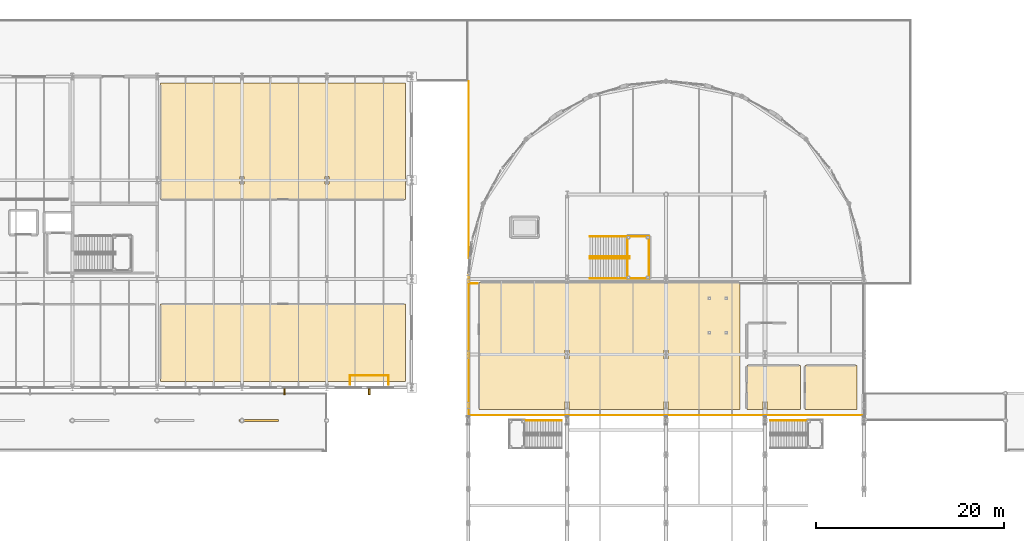
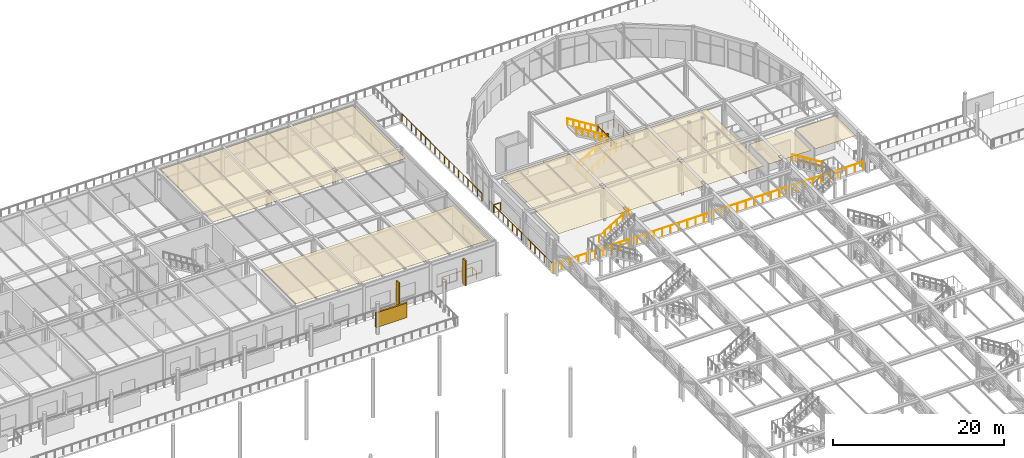
# One storey, part 130 of 143: 13 railings, 5 coverings, 3 shading devices.
"""IFC4 building model written with IfcOpenShell, lengths in metres."""

from ifc_helpers import new_model, si_unit, direction, frame, origin, origin_2d, place, context, subcontext, project, spatial, polyline, rectangle, circle, outline, extrude, material, layer, layer_set, type_object, element, save


model = new_model("IFC4")

# Units and contexts
model_context = context("Model", 3, precision=1e-05, world=origin(), true_north=direction((0.0, 1.0)))
body_context = subcontext(model_context, "Body", "Model", "MODEL_VIEW")
ifc_project = project(units=[si_unit("LENGTHUNIT", "METRE"), si_unit("AREAUNIT", "SQUARE_METRE"), si_unit("VOLUMEUNIT", "CUBIC_METRE"), si_unit("PLANEANGLEUNIT", "RADIAN"), si_unit("MASSUNIT", "GRAM", prefix="KILO")], contexts=[model_context])

# Site, building, storey
site_placement = place(None, origin())
site = spatial("IfcSite", under=ifc_project, at=site_placement, CompositionType="ELEMENT")
building_placement = place(site_placement, origin())
building = spatial("IfcBuilding", under=site, at=building_placement, Name="Marlcrest Central Station", CompositionType="ELEMENT")
storey_placement = place(building_placement, frame((0.0, 0.0, 4.800048828125)))
storey = spatial("IfcBuildingStorey", under=building, at=storey_placement, Name="L01", CompositionType="ELEMENT", Elevation=4.800048828125)

# Coverings
ifc_material_1 = material(Name="Perforated acoustic mineral-fibre ceiling")
ifc_layer = layer(ifc_material_1, 0.02490234375, Name="CV-CLG")
ifc_layer_set = layer_set([ifc_layer], Name="Perforated acoustic mineral-fibre ceiling")
covering_type = type_object("IfcCoveringType", Name="CV-CLG", PredefinedType="CEILING", material=ifc_layer_set)
covering_1_placement = place(storey_placement, frame((0.0, 0.0, 4.675048828125)))
element("IfcCovering", 1, at=covering_1_placement, inside=storey, type_object=covering_type, Name="cov-clg-0070", PredefinedType="CEILING", context=body_context, shape_type="SweptSolid", body=[
    extrude(outline(polyline([(97.7099609375, 110.139892578125), (107.7900390625, 110.139892578125), (107.7900390625, 110.0400390625), (108.2099609375, 110.0400390625), (108.2099609375, 110.139892578125), (115.840087890625, 110.139892578125), (115.840087890625, 96.659912109375), (88.159912109375, 96.659912109375), (88.159912109375, 110.139892578125), (97.2900390625, 110.139892578125), (97.2900390625, 110.0400390625), (97.7099609375, 110.0400390625), (97.7099609375, 110.139892578125)]), holes=[polyline([(97.2900390625, 102.9599609375), (97.2900390625, 102.0400390625), (97.7099609375, 102.0400390625), (97.7099609375, 102.9599609375), (97.2900390625, 102.9599609375)]), polyline([(108.2099609375, 102.9599609375), (107.7900390625, 102.9599609375), (107.7900390625, 102.0400390625), (108.2099609375, 102.0400390625), (108.2099609375, 102.9599609375)]), polyline([(97.2900390625, 97.510009765625), (97.2900390625, 96.68994140625), (97.7099609375, 96.68994140625), (97.7099609375, 97.510009765625), (97.2900390625, 97.510009765625)]), polyline([(108.2099609375, 97.510009765625), (107.7900390625, 97.510009765625), (107.7900390625, 96.68994140625), (108.2099609375, 96.68994140625), (108.2099609375, 97.510009765625)])]), origin(), (0.0, 0.0, 1.0), 0.02490234375),
])
covering_2_placement = place(storey_placement, frame((0.0, 0.0, 4.675048828125)))
element("IfcCovering", 2, at=covering_2_placement, inside=storey, type_object=covering_type, Name="cov-clg-0072", PredefinedType="CEILING", context=body_context, shape_type="SweptSolid", body=[
    extrude(outline(polyline([(116.56005859375, 96.659912109375), (116.56005859375, 101.340087890625), (122.239990234375, 101.340087890625), (122.239990234375, 96.659912109375), (116.56005859375, 96.659912109375)]), holes=[polyline([(118.7099609375, 97.510009765625), (118.2900390625, 97.510009765625), (118.2900390625, 96.68994140625), (118.7099609375, 96.68994140625), (118.7099609375, 97.510009765625)])]), origin(), (0.0, 0.0, 1.0), 0.02490234375),
])
covering_3_placement = place(storey_placement, frame((0.0, 0.0, 4.675048828125)))
element("IfcCovering", 3, at=covering_3_placement, inside=storey, type_object=covering_type, Name="cov-clg-0073", PredefinedType="CEILING", context=body_context, shape_type="SweptSolid", body=[
    extrude(outline(polyline([(128.239990234375, 96.659912109375), (128.239990234375, 101.340087890625), (122.760009765625, 101.340087890625), (122.760009765625, 96.659912109375), (128.239990234375, 96.659912109375)])), origin(), (0.0, 0.0, 1.0), 0.02490234375),
])
covering_4_placement = place(storey_placement, frame((0.0, 0.0, 4.675048828125)))
element("IfcCovering", 4, at=covering_4_placement, inside=storey, type_object=covering_type, Name="cov-clg-0080", PredefinedType="CEILING", context=body_context, shape_type="SweptSolid", body=[
    extrude(outline(polyline([(54.360107421875, 131.340087890625), (80.340087890625, 131.340087890625), (80.340087890625, 118.9599609375), (54.360107421875, 118.9599609375), (54.360107421875, 131.340087890625)]), holes=[polyline([(62.7900390625, 121.409912109375), (62.7900390625, 120.590087890625), (63.2099609375, 120.590087890625), (63.2099609375, 121.409912109375), (62.7900390625, 121.409912109375)]), polyline([(72.2099609375, 121.409912109375), (71.7900390625, 121.409912109375), (71.7900390625, 120.590087890625), (72.2099609375, 120.590087890625), (72.2099609375, 121.409912109375)])]), origin(), (0.0, 0.0, 1.0), 0.02490234375),
])
covering_5_placement = place(storey_placement, frame((0.0, 0.0, 4.675048828125)))
element("IfcCovering", 5, at=covering_5_placement, inside=storey, type_object=covering_type, Name="cov-clg-0083", PredefinedType="CEILING", context=body_context, shape_type="SweptSolid", body=[
    extrude(outline(polyline([(80.340087890625, 99.659912109375), (80.340087890625, 107.840087890625), (54.360107421875, 107.840087890625), (54.360107421875, 99.659912109375), (80.340087890625, 99.659912109375)])), origin(), (0.0, 0.0, 1.0), 0.02490234375),
])

# Railings
ifc_material_2 = material(Name="Stainless steel and laminated glass concourse balustrade", Category="steel")
railing_type_1 = type_object("IfcRailingType", Name="GR-02", PredefinedType="BALUSTRADE", material=ifc_material_2)
railing_1_placement = place(storey_placement, frame((103.8701171875, 110.56005859375, 2.5)))
element("IfcRailing", 6, at=railing_1_placement, inside=storey, type_object=railing_type_1, Name="hr-L01-00190", PredefinedType="BALUSTRADE", context=body_context, shape_type="SweptSolid", body=[
    extrude(circle(Radius=0.02392578125, at=origin_2d()), frame((0.0, 0.0, 1.09619140625), z_axis=(1.0, 0.0, 0.0), x_axis=(0.0, 1.0, 0.0)), (0.0, 0.0, 1.0), 2.31982421875),
    extrude(circle(Radius=0.02392578125, at=origin_2d()), frame((2.31982421875, 0.0, 1.09619140625), z_axis=(0.0, 1.0, 0.0), x_axis=(-1.0, 0.0, 0.0)), (0.0, 0.0, 1.0), 4.47998046875),
    extrude(circle(Radius=0.02392578125, at=origin_2d()), frame((2.31982421875, 4.47998046875, 1.09619140625), z_axis=(-1.0, 0.0, 0.0), x_axis=(0.0, -1.0, 0.0)), (0.0, 0.0, 1.0), 2.31982421875),
    extrude(circle(Radius=0.02099609375, at=origin_2d()), origin(), (0.0, 0.0, 1.0), 1.072021484375),
    extrude(circle(Radius=0.02099609375, at=origin_2d()), frame((0.773193359375, 0.0, 0.0)), (0.0, 0.0, 1.0), 1.072021484375),
    extrude(circle(Radius=0.02099609375, at=origin_2d()), frame((1.546630859375, 0.0, 0.0)), (0.0, 0.0, 1.0), 1.072021484375),
    extrude(circle(Radius=0.02099609375, at=origin_2d()), frame((2.31982421875, 0.0, 0.0)), (0.0, 0.0, 1.0), 1.072021484375),
    extrude(circle(Radius=0.02099609375, at=origin_2d()), frame((2.31982421875, 1.1201171875, 0.0)), (0.0, 0.0, 1.0), 1.072021484375),
    extrude(circle(Radius=0.02099609375, at=origin_2d()), frame((2.31982421875, 2.239990234375, 0.0)), (0.0, 0.0, 1.0), 1.072021484375),
    extrude(circle(Radius=0.02099609375, at=origin_2d()), frame((2.31982421875, 3.35986328125, 0.0)), (0.0, 0.0, 1.0), 1.072021484375),
    extrude(circle(Radius=0.02099609375, at=origin_2d()), frame((2.31982421875, 4.47998046875, 0.0)), (0.0, 0.0, 1.0), 1.072021484375),
    extrude(circle(Radius=0.02099609375, at=origin_2d()), frame((1.546630859375, 4.47998046875, 0.0)), (0.0, 0.0, 1.0), 1.072021484375),
    extrude(circle(Radius=0.02099609375, at=origin_2d()), frame((0.773193359375, 4.47998046875, 0.0)), (0.0, 0.0, 1.0), 1.072021484375),
    extrude(circle(Radius=0.02099609375, at=origin_2d()), frame((0.0, 4.47998046875, 0.0)), (0.0, 0.0, 1.0), 1.072021484375),
])
railing_2_placement = place(storey_placement, frame((78.56005859375, 99.300048828125, 0.0)))
element("IfcRailing", 7, at=railing_2_placement, inside=storey, type_object=railing_type_1, Name="hr-L01-00314", PredefinedType="BALUSTRADE", context=body_context, shape_type="SweptSolid", body=[
    extrude(circle(Radius=0.02392578125, at=origin_2d()), frame((0.0, 0.0, 1.09619140625), z_axis=(0.0, 1.0, 0.0), x_axis=(-1.0, 0.0, 0.0)), (0.0, 0.0, 1.0), 0.9599609375),
    extrude(circle(Radius=0.02392578125, at=origin_2d()), frame((0.0, 0.9599609375, 1.09619140625), z_axis=(-1.0, 0.0, 0.0), x_axis=(0.0, -1.0, 0.0)), (0.0, 0.0, 1.0), 4.1201171875),
    extrude(circle(Radius=0.02392578125, at=origin_2d()), frame((-4.1201171875, 0.9599609375, 1.09619140625), z_axis=(0.0, -1.0, 0.0), x_axis=(1.0, 0.0, 0.0)), (0.0, 0.0, 1.0), 0.9599609375),
    extrude(circle(Radius=0.02099609375, at=origin_2d()), origin(), (0.0, 0.0, 1.0), 1.072021484375),
    extrude(circle(Radius=0.02099609375, at=origin_2d()), frame((0.0, 0.9599609375, 0.0)), (0.0, 0.0, 1.0), 1.072021484375),
    extrude(circle(Radius=0.02099609375, at=origin_2d()), frame((-1.030029296875, 0.9599609375, 0.0)), (0.0, 0.0, 1.0), 1.072021484375),
    extrude(circle(Radius=0.02099609375, at=origin_2d()), frame((-2.06005859375, 0.9599609375, 0.0)), (0.0, 0.0, 1.0), 1.072021484375),
    extrude(circle(Radius=0.02099609375, at=origin_2d()), frame((-3.090087890625, 0.9599609375, 0.0)), (0.0, 0.0, 1.0), 1.072021484375),
    extrude(circle(Radius=0.02099609375, at=origin_2d()), frame((-4.1201171875, 0.9599609375, 0.0)), (0.0, 0.0, 1.0), 1.072021484375),
    extrude(circle(Radius=0.02099609375, at=origin_2d()), frame((-4.1201171875, 0.0, 0.0)), (0.0, 0.0, 1.0), 1.072021484375),
])
railing_3_placement = place(storey_placement, frame((87.972900390625, 110.06005859375, 0.0)))
element("IfcRailing", 8, at=railing_3_placement, inside=storey, type_object=railing_type_1, Name="hr-L01-00368", PredefinedType="BALUSTRADE", context=body_context, shape_type="SweptSolid", body=[
    extrude(circle(Radius=0.02392578125, at=origin_2d()), frame((0.0, 0.0, 1.09619140625), z_axis=(-1.0, 0.0, 0.0), x_axis=(0.0, -1.0, 0.0)), (0.0, 0.0, 1.0), 0.912841796875),
    extrude(circle(Radius=0.02392578125, at=origin_2d()), frame((-0.912841796875, 0.0, 1.09619140625), z_axis=(0.0, 1.0, 0.0), x_axis=(-1.0, 0.0, 0.0)), (0.0, 0.0, 1.0), 0.916015625),
    extrude(circle(Radius=0.02099609375, at=origin_2d()), origin(), (0.0, 0.0, 1.0), 1.072021484375),
    extrude(circle(Radius=0.02099609375, at=origin_2d()), frame((-0.912841796875, 0.0, 0.0)), (0.0, 0.0, 1.0), 1.072021484375),
    extrude(circle(Radius=0.02099609375, at=origin_2d()), frame((-0.912841796875, 0.916015625, 0.0)), (0.0, 0.0, 1.0), 1.072021484375),
])
railing_4_placement = place(storey_placement, frame((87.06005859375, 112.73291015625, 0.0)))
element("IfcRailing", 9, at=railing_4_placement, inside=storey, type_object=railing_type_1, Name="hr-L01-00369", PredefinedType="BALUSTRADE", context=body_context, shape_type="SweptSolid", body=[
    extrude(circle(Radius=0.02392578125, at=origin_2d()), frame((0.0, 0.0, 1.09619140625), z_axis=(0.0, 1.0, 0.0), x_axis=(-1.0, 0.0, 0.0)), (0.0, 0.0, 1.0), 18.755126953125),
    extrude(circle(Radius=0.02099609375, at=origin_2d()), origin(), (0.0, 0.0, 1.0), 1.072021484375),
    extrude(circle(Radius=0.02099609375, at=origin_2d()), frame((0.0, 1.103271484375, 0.0)), (0.0, 0.0, 1.0), 1.072021484375),
    extrude(circle(Radius=0.02099609375, at=origin_2d()), frame((0.0, 2.20654296875, 0.0)), (0.0, 0.0, 1.0), 1.072021484375),
    extrude(circle(Radius=0.02099609375, at=origin_2d()), frame((0.0, 3.309814453125, 0.0)), (0.0, 0.0, 1.0), 1.072021484375),
    extrude(circle(Radius=0.02099609375, at=origin_2d()), frame((0.0, 4.4130859375, 0.0)), (0.0, 0.0, 1.0), 1.072021484375),
    extrude(circle(Radius=0.02099609375, at=origin_2d()), frame((0.0, 5.51611328125, 0.0)), (0.0, 0.0, 1.0), 1.072021484375),
    extrude(circle(Radius=0.02099609375, at=origin_2d()), frame((0.0, 6.619384765625, 0.0)), (0.0, 0.0, 1.0), 1.072021484375),
    extrude(circle(Radius=0.02099609375, at=origin_2d()), frame((0.0, 7.72265625, 0.0)), (0.0, 0.0, 1.0), 1.072021484375),
    extrude(circle(Radius=0.02099609375, at=origin_2d()), frame((0.0, 8.825927734375, 0.0)), (0.0, 0.0, 1.0), 1.072021484375),
    extrude(circle(Radius=0.02099609375, at=origin_2d()), frame((0.0, 9.92919921875, 0.0)), (0.0, 0.0, 1.0), 1.072021484375),
    extrude(circle(Radius=0.02099609375, at=origin_2d()), frame((0.0, 11.032470703125, 0.0)), (0.0, 0.0, 1.0), 1.072021484375),
    extrude(circle(Radius=0.02099609375, at=origin_2d()), frame((0.0, 12.1357421875, 0.0)), (0.0, 0.0, 1.0), 1.072021484375),
    extrude(circle(Radius=0.02099609375, at=origin_2d()), frame((0.0, 13.239013671875, 0.0)), (0.0, 0.0, 1.0), 1.072021484375),
    extrude(circle(Radius=0.02099609375, at=origin_2d()), frame((0.0, 14.342041015625, 0.0)), (0.0, 0.0, 1.0), 1.072021484375),
    extrude(circle(Radius=0.02099609375, at=origin_2d()), frame((0.0, 15.4453125, 0.0)), (0.0, 0.0, 1.0), 1.072021484375),
    extrude(circle(Radius=0.02099609375, at=origin_2d()), frame((0.0, 16.548583984375, 0.0)), (0.0, 0.0, 1.0), 1.072021484375),
    extrude(circle(Radius=0.02099609375, at=origin_2d()), frame((0.0, 17.65185546875, 0.0)), (0.0, 0.0, 1.0), 1.072021484375),
    extrude(circle(Radius=0.02099609375, at=origin_2d()), frame((0.0, 18.755126953125, 0.0)), (0.0, 0.0, 1.0), 1.072021484375),
])
railing_5_placement = place(storey_placement, frame((87.06005859375, 96.06005859375, 0.0)))
element("IfcRailing", 10, at=railing_5_placement, inside=storey, type_object=railing_type_1, Name="hr-L01-00448", PredefinedType="BALUSTRADE", context=body_context, shape_type="SweptSolid", body=[
    extrude(circle(Radius=0.02392578125, at=origin_2d()), frame((0.0, 0.0, 1.09619140625), z_axis=(0.0, 1.0, 0.0), x_axis=(-1.0, 0.0, 0.0)), (0.0, 0.0, 1.0), 13.85986328125),
    extrude(circle(Radius=0.02099609375, at=origin_2d()), origin(), (0.0, 0.0, 1.0), 1.072021484375),
    extrude(circle(Radius=0.02099609375, at=origin_2d()), frame((0.0, 1.066162109375, 0.0)), (0.0, 0.0, 1.0), 1.072021484375),
    extrude(circle(Radius=0.02099609375, at=origin_2d()), frame((0.0, 2.13232421875, 0.0)), (0.0, 0.0, 1.0), 1.072021484375),
    extrude(circle(Radius=0.02099609375, at=origin_2d()), frame((0.0, 3.198486328125, 0.0)), (0.0, 0.0, 1.0), 1.072021484375),
    extrude(circle(Radius=0.02099609375, at=origin_2d()), frame((0.0, 4.2646484375, 0.0)), (0.0, 0.0, 1.0), 1.072021484375),
    extrude(circle(Radius=0.02099609375, at=origin_2d()), frame((0.0, 5.330810546875, 0.0)), (0.0, 0.0, 1.0), 1.072021484375),
    extrude(circle(Radius=0.02099609375, at=origin_2d()), frame((0.0, 6.39697265625, 0.0)), (0.0, 0.0, 1.0), 1.072021484375),
    extrude(circle(Radius=0.02099609375, at=origin_2d()), frame((0.0, 7.462890625, 0.0)), (0.0, 0.0, 1.0), 1.072021484375),
    extrude(circle(Radius=0.02099609375, at=origin_2d()), frame((0.0, 8.529052734375, 0.0)), (0.0, 0.0, 1.0), 1.072021484375),
    extrude(circle(Radius=0.02099609375, at=origin_2d()), frame((0.0, 9.59521484375, 0.0)), (0.0, 0.0, 1.0), 1.072021484375),
    extrude(circle(Radius=0.02099609375, at=origin_2d()), frame((0.0, 10.661376953125, 0.0)), (0.0, 0.0, 1.0), 1.072021484375),
    extrude(circle(Radius=0.02099609375, at=origin_2d()), frame((0.0, 11.7275390625, 0.0)), (0.0, 0.0, 1.0), 1.072021484375),
    extrude(circle(Radius=0.02099609375, at=origin_2d()), frame((0.0, 12.793701171875, 0.0)), (0.0, 0.0, 1.0), 1.072021484375),
    extrude(circle(Radius=0.02099609375, at=origin_2d()), frame((0.0, 13.85986328125, 0.0)), (0.0, 0.0, 1.0), 1.072021484375),
])
railing_6_placement = place(storey_placement, frame((128.919921875, 96.06005859375, 0.0)))
element("IfcRailing", 11, at=railing_6_placement, inside=storey, type_object=railing_type_1, Name="hr-L01-00450", PredefinedType="BALUSTRADE", context=body_context, shape_type="SweptSolid", body=[
    extrude(circle(Radius=0.02392578125, at=origin_2d()), frame((0.0, 0.0, 1.09619140625), z_axis=(-1.0, 0.0, 0.0), x_axis=(0.0, -1.0, 0.0)), (0.0, 0.0, 1.0), 41.85986328125),
    extrude(circle(Radius=0.02099609375, at=origin_2d()), origin(), (0.0, 0.0, 1.0), 1.072021484375),
    extrude(circle(Radius=0.02099609375, at=origin_2d()), frame((-1.13134765625, 0.0, 0.0)), (0.0, 0.0, 1.0), 1.072021484375),
    extrude(circle(Radius=0.02099609375, at=origin_2d()), frame((-2.2626953125, 0.0, 0.0)), (0.0, 0.0, 1.0), 1.072021484375),
    extrude(circle(Radius=0.02099609375, at=origin_2d()), frame((-3.39404296875, 0.0, 0.0)), (0.0, 0.0, 1.0), 1.072021484375),
    extrude(circle(Radius=0.02099609375, at=origin_2d()), frame((-4.525390625, 0.0, 0.0)), (0.0, 0.0, 1.0), 1.072021484375),
    extrude(circle(Radius=0.02099609375, at=origin_2d()), frame((-5.65673828125, 0.0, 0.0)), (0.0, 0.0, 1.0), 1.072021484375),
    extrude(circle(Radius=0.02099609375, at=origin_2d()), frame((-6.7880859375, 0.0, 0.0)), (0.0, 0.0, 1.0), 1.072021484375),
    extrude(circle(Radius=0.02099609375, at=origin_2d()), frame((-7.91943359375, 0.0, 0.0)), (0.0, 0.0, 1.0), 1.072021484375),
    extrude(circle(Radius=0.02099609375, at=origin_2d()), frame((-9.05078125, 0.0, 0.0)), (0.0, 0.0, 1.0), 1.072021484375),
    extrude(circle(Radius=0.02099609375, at=origin_2d()), frame((-10.18212890625, 0.0, 0.0)), (0.0, 0.0, 1.0), 1.072021484375),
    extrude(circle(Radius=0.02099609375, at=origin_2d()), frame((-11.3134765625, 0.0, 0.0)), (0.0, 0.0, 1.0), 1.072021484375),
    extrude(circle(Radius=0.02099609375, at=origin_2d()), frame((-12.44482421875, 0.0, 0.0)), (0.0, 0.0, 1.0), 1.072021484375),
    extrude(circle(Radius=0.02099609375, at=origin_2d()), frame((-13.576171875, 0.0, 0.0)), (0.0, 0.0, 1.0), 1.072021484375),
    extrude(circle(Radius=0.02099609375, at=origin_2d()), frame((-14.70751953125, 0.0, 0.0)), (0.0, 0.0, 1.0), 1.072021484375),
    extrude(circle(Radius=0.02099609375, at=origin_2d()), frame((-15.8388671875, 0.0, 0.0)), (0.0, 0.0, 1.0), 1.072021484375),
    extrude(circle(Radius=0.02099609375, at=origin_2d()), frame((-16.97021484375, 0.0, 0.0)), (0.0, 0.0, 1.0), 1.072021484375),
    extrude(circle(Radius=0.02099609375, at=origin_2d()), frame((-18.1015625, 0.0, 0.0)), (0.0, 0.0, 1.0), 1.072021484375),
    extrude(circle(Radius=0.02099609375, at=origin_2d()), frame((-19.23291015625, 0.0, 0.0)), (0.0, 0.0, 1.0), 1.072021484375),
    extrude(circle(Radius=0.02099609375, at=origin_2d()), frame((-20.3642578125, 0.0, 0.0)), (0.0, 0.0, 1.0), 1.072021484375),
    extrude(circle(Radius=0.02099609375, at=origin_2d()), frame((-21.49560546875, 0.0, 0.0)), (0.0, 0.0, 1.0), 1.072021484375),
    extrude(circle(Radius=0.02099609375, at=origin_2d()), frame((-22.626953125, 0.0, 0.0)), (0.0, 0.0, 1.0), 1.072021484375),
    extrude(circle(Radius=0.02099609375, at=origin_2d()), frame((-23.75830078125, 0.0, 0.0)), (0.0, 0.0, 1.0), 1.072021484375),
    extrude(circle(Radius=0.02099609375, at=origin_2d()), frame((-24.8896484375, 0.0, 0.0)), (0.0, 0.0, 1.0), 1.072021484375),
    extrude(circle(Radius=0.02099609375, at=origin_2d()), frame((-26.02099609375, 0.0, 0.0)), (0.0, 0.0, 1.0), 1.072021484375),
    extrude(circle(Radius=0.02099609375, at=origin_2d()), frame((-27.15234375, 0.0, 0.0)), (0.0, 0.0, 1.0), 1.072021484375),
    extrude(circle(Radius=0.02099609375, at=origin_2d()), frame((-28.28369140625, 0.0, 0.0)), (0.0, 0.0, 1.0), 1.072021484375),
    extrude(circle(Radius=0.02099609375, at=origin_2d()), frame((-29.4150390625, 0.0, 0.0)), (0.0, 0.0, 1.0), 1.072021484375),
    extrude(circle(Radius=0.02099609375, at=origin_2d()), frame((-30.54638671875, 0.0, 0.0)), (0.0, 0.0, 1.0), 1.072021484375),
    extrude(circle(Radius=0.02099609375, at=origin_2d()), frame((-31.677734375, 0.0, 0.0)), (0.0, 0.0, 1.0), 1.072021484375),
    extrude(circle(Radius=0.02099609375, at=origin_2d()), frame((-32.80908203125, 0.0, 0.0)), (0.0, 0.0, 1.0), 1.072021484375),
    extrude(circle(Radius=0.02099609375, at=origin_2d()), frame((-33.9404296875, 0.0, 0.0)), (0.0, 0.0, 1.0), 1.072021484375),
    extrude(circle(Radius=0.02099609375, at=origin_2d()), frame((-35.07177734375, 0.0, 0.0)), (0.0, 0.0, 1.0), 1.072021484375),
    extrude(circle(Radius=0.02099609375, at=origin_2d()), frame((-36.203125, 0.0, 0.0)), (0.0, 0.0, 1.0), 1.072021484375),
    extrude(circle(Radius=0.02099609375, at=origin_2d()), frame((-37.33447265625, 0.0, 0.0)), (0.0, 0.0, 1.0), 1.072021484375),
    extrude(circle(Radius=0.02099609375, at=origin_2d()), frame((-38.4658203125, 0.0, 0.0)), (0.0, 0.0, 1.0), 1.072021484375),
    extrude(circle(Radius=0.02099609375, at=origin_2d()), frame((-39.59716796875, 0.0, 0.0)), (0.0, 0.0, 1.0), 1.072021484375),
    extrude(circle(Radius=0.02099609375, at=origin_2d()), frame((-40.728515625, 0.0, 0.0)), (0.0, 0.0, 1.0), 1.072021484375),
    extrude(circle(Radius=0.02099609375, at=origin_2d()), frame((-41.85986328125, 0.0, 0.0)), (0.0, 0.0, 1.0), 1.072021484375),
])
railing_7_placement = place(storey_placement, frame((103.889892578125, 110.81005859375, 2.5)))
element("IfcRailing", 12, at=railing_7_placement, inside=storey, type_object=railing_type_1, Name="hr-L01-00592", PredefinedType="BALUSTRADE", context=body_context, shape_type="SweptSolid", body=[
    extrude(circle(Radius=0.02392578125, at=origin_2d()), frame((0.0, 0.0, 1.09619140625), z_axis=(0.0, 1.0, 0.0), x_axis=(-1.0, 0.0, 0.0)), (0.0, 0.0, 1.0), 1.869873046875),
    extrude(circle(Radius=0.02392578125, at=origin_2d()), frame((0.0, 1.869873046875, 1.09619140625), z_axis=(1.0, 0.0, 0.0), x_axis=(0.0, 1.0, 0.0)), (0.0, 0.0, 1.0), 0.25),
    extrude(circle(Radius=0.02392578125, at=origin_2d()), frame((0.25, 1.869873046875, 1.09619140625), z_axis=(0.0, 1.0, 0.0), x_axis=(-1.0, 0.0, 0.0)), (0.0, 0.0, 1.0), 0.239990234375),
    extrude(circle(Radius=0.02392578125, at=origin_2d()), frame((0.25, 2.10986328125, 1.09619140625), z_axis=(-1.0, 0.0, 0.0), x_axis=(0.0, -1.0, 0.0)), (0.0, 0.0, 1.0), 0.25),
    extrude(circle(Radius=0.02392578125, at=origin_2d()), frame((0.0, 2.10986328125, 1.09619140625), z_axis=(0.0, 1.0, 0.0), x_axis=(-1.0, 0.0, 0.0)), (0.0, 0.0, 1.0), 1.8701171875),
    extrude(circle(Radius=0.02099609375, at=origin_2d()), origin(), (0.0, 0.0, 1.0), 1.072021484375),
    extrude(circle(Radius=0.02099609375, at=origin_2d()), frame((0.0, 0.93505859375, 0.0)), (0.0, 0.0, 1.0), 1.072021484375),
    extrude(circle(Radius=0.02099609375, at=origin_2d()), frame((0.0, 1.869873046875, 0.0)), (0.0, 0.0, 1.0), 1.072021484375),
    extrude(circle(Radius=0.02099609375, at=origin_2d()), frame((0.25, 1.869873046875, 0.0)), (0.0, 0.0, 1.0), 1.072021484375),
    extrude(circle(Radius=0.02099609375, at=origin_2d()), frame((0.25, 2.10986328125, 0.0)), (0.0, 0.0, 1.0), 1.072021484375),
    extrude(circle(Radius=0.02099609375, at=origin_2d()), frame((0.0, 2.10986328125, 0.0)), (0.0, 0.0, 1.0), 1.072021484375),
    extrude(circle(Radius=0.02099609375, at=origin_2d()), frame((0.0, 3.044921875, 0.0)), (0.0, 0.0, 1.0), 1.072021484375),
    extrude(circle(Radius=0.02099609375, at=origin_2d()), frame((0.0, 3.97998046875, 0.0)), (0.0, 0.0, 1.0), 1.072021484375),
])
ifc_material_3 = material(Name="Brushed stainless steel handrail", Category="steel")
railing_type_2 = type_object("IfcRailingType", Name="HR-01", PredefinedType="HANDRAIL", material=ifc_material_3)
railing_8_placement = place(storey_placement, frame((92.93994140625, 95.52490234375, 2.5)))
element("IfcRailing", 13, at=railing_8_placement, inside=storey, type_object=railing_type_2, Name="hr-L01-00151", PredefinedType="HANDRAIL", context=body_context, shape_type="SweptSolid", body=[
    extrude(circle(Radius=0.02392578125, at=origin_2d()), frame((0.0, 0.0, 0.89599609375), z_axis=(0.847400605549, 0.0, 0.530954059892), x_axis=(0.0, 1.0, 0.0)), (0.0, 0.0, 1.0), 4.70849609375),
    extrude(circle(Radius=0.02099609375, at=origin_2d()), origin(), (0.0, 0.0, 1.0), 0.871826171875),
    extrude(circle(Radius=0.02099609375, at=origin_2d()), frame((0.798095703125, 0.0, 0.5)), (0.0, 0.0, 1.0), 0.871826171875),
    extrude(circle(Radius=0.02099609375, at=origin_2d()), frame((1.595947265625, 0.0, 1.0)), (0.0, 0.0, 1.0), 0.871826171875),
    extrude(circle(Radius=0.02099609375, at=origin_2d()), frame((2.39404296875, 0.0, 1.5)), (0.0, 0.0, 1.0), 0.871826171875),
    extrude(circle(Radius=0.02099609375, at=origin_2d()), frame((3.19189453125, 0.0, 2.0)), (0.0, 0.0, 1.0), 0.871826171875),
    extrude(circle(Radius=0.02099609375, at=origin_2d()), frame((3.989990234375, 0.0, 2.5)), (0.0, 0.0, 1.0), 0.871826171875),
])
railing_9_placement = place(storey_placement, frame((123.06005859375, 95.52490234375, 2.5)))
element("IfcRailing", 14, at=railing_9_placement, inside=storey, type_object=railing_type_2, Name="hr-L01-00168", PredefinedType="HANDRAIL", context=body_context, shape_type="SweptSolid", body=[
    extrude(circle(Radius=0.02392578125, at=origin_2d()), frame((0.0, 0.0, 0.89599609375), z_axis=(-0.847400605549, 0.0, 0.530954059892), x_axis=(0.0, -1.0, 0.0)), (0.0, 0.0, 1.0), 4.70849609375),
    extrude(circle(Radius=0.02099609375, at=origin_2d()), origin(), (0.0, 0.0, 1.0), 0.871826171875),
    extrude(circle(Radius=0.02099609375, at=origin_2d()), frame((-0.798095703125, 0.0, 0.5)), (0.0, 0.0, 1.0), 0.871826171875),
    extrude(circle(Radius=0.02099609375, at=origin_2d()), frame((-1.595947265625, 0.0, 1.0)), (0.0, 0.0, 1.0), 0.871826171875),
    extrude(circle(Radius=0.02099609375, at=origin_2d()), frame((-2.39404296875, 0.0, 1.5)), (0.0, 0.0, 1.0), 0.871826171875),
    extrude(circle(Radius=0.02099609375, at=origin_2d()), frame((-3.19189453125, 0.0, 2.0)), (0.0, 0.0, 1.0), 0.871826171875),
    extrude(circle(Radius=0.02099609375, at=origin_2d()), frame((-3.989990234375, 0.0, 2.5)), (0.0, 0.0, 1.0), 0.871826171875),
])
railing_10_placement = place(storey_placement, frame((99.919921875, 110.570068359375, 0.0)))
element("IfcRailing", 15, at=railing_10_placement, inside=storey, type_object=railing_type_2, Name="hr-L01-00186", PredefinedType="HANDRAIL", context=body_context, shape_type="SweptSolid", body=[
    extrude(circle(Radius=0.02392578125, at=origin_2d()), frame((0.0, 0.0, 0.89599609375), z_axis=(0.847400605549, 0.0, 0.530954059892), x_axis=(0.0, 1.0, 0.0)), (0.0, 0.0, 1.0), 4.70849609375),
    extrude(circle(Radius=0.02099609375, at=origin_2d()), origin(), (0.0, 0.0, 1.0), 0.871826171875),
    extrude(circle(Radius=0.02099609375, at=origin_2d()), frame((0.798095703125, 0.0, 0.5)), (0.0, 0.0, 1.0), 0.871826171875),
    extrude(circle(Radius=0.02099609375, at=origin_2d()), frame((1.595947265625, 0.0, 1.0)), (0.0, 0.0, 1.0), 0.871826171875),
    extrude(circle(Radius=0.02099609375, at=origin_2d()), frame((2.39404296875, 0.0, 1.5)), (0.0, 0.0, 1.0), 0.871826171875),
    extrude(circle(Radius=0.02099609375, at=origin_2d()), frame((3.19189453125, 0.0, 2.0)), (0.0, 0.0, 1.0), 0.871826171875),
    extrude(circle(Radius=0.02099609375, at=origin_2d()), frame((3.989990234375, 0.0, 2.5)), (0.0, 0.0, 1.0), 0.871826171875),
])
railing_11_placement = place(storey_placement, frame((103.909912109375, 112.929931640625, 2.5)))
element("IfcRailing", 16, at=railing_11_placement, inside=storey, type_object=railing_type_2, Name="hr-L01-00187", PredefinedType="HANDRAIL", context=body_context, shape_type="SweptSolid", body=[
    extrude(circle(Radius=0.02392578125, at=origin_2d()), frame((0.0, 0.0, 0.89599609375), z_axis=(-0.847400605549, 0.0, 0.530954059892), x_axis=(0.0, -1.0, 0.0)), (0.0, 0.0, 1.0), 4.70849609375),
    extrude(circle(Radius=0.02099609375, at=origin_2d()), origin(), (0.0, 0.0, 1.0), 0.871826171875),
    extrude(circle(Radius=0.02099609375, at=origin_2d()), frame((-0.798095703125, 0.0, 0.5)), (0.0, 0.0, 1.0), 0.871826171875),
    extrude(circle(Radius=0.02099609375, at=origin_2d()), frame((-1.595947265625, 0.0, 1.0)), (0.0, 0.0, 1.0), 0.871826171875),
    extrude(circle(Radius=0.02099609375, at=origin_2d()), frame((-2.39404296875, 0.0, 1.5)), (0.0, 0.0, 1.0), 0.871826171875),
    extrude(circle(Radius=0.02099609375, at=origin_2d()), frame((-3.19189453125, 0.0, 2.0)), (0.0, 0.0, 1.0), 0.871826171875),
    extrude(circle(Radius=0.02099609375, at=origin_2d()), frame((-3.989990234375, 0.0, 2.5)), (0.0, 0.0, 1.0), 0.871826171875),
])
railing_12_placement = place(storey_placement, frame((99.919921875, 112.669921875, 0.0)))
element("IfcRailing", 17, at=railing_12_placement, inside=storey, type_object=railing_type_2, Name="hr-L01-00188", PredefinedType="HANDRAIL", context=body_context, shape_type="SweptSolid", body=[
    extrude(circle(Radius=0.02392578125, at=origin_2d()), frame((0.0, 0.0, 0.89599609375), z_axis=(0.847400605549, 0.0, 0.530954059892), x_axis=(0.0, 1.0, 0.0)), (0.0, 0.0, 1.0), 4.70849609375),
    extrude(circle(Radius=0.02099609375, at=origin_2d()), origin(), (0.0, 0.0, 1.0), 0.871826171875),
    extrude(circle(Radius=0.02099609375, at=origin_2d()), frame((0.798095703125, 0.0, 0.5)), (0.0, 0.0, 1.0), 0.871826171875),
    extrude(circle(Radius=0.02099609375, at=origin_2d()), frame((1.595947265625, 0.0, 1.0)), (0.0, 0.0, 1.0), 0.871826171875),
    extrude(circle(Radius=0.02099609375, at=origin_2d()), frame((2.39404296875, 0.0, 1.5)), (0.0, 0.0, 1.0), 0.871826171875),
    extrude(circle(Radius=0.02099609375, at=origin_2d()), frame((3.19189453125, 0.0, 2.0)), (0.0, 0.0, 1.0), 0.871826171875),
    extrude(circle(Radius=0.02099609375, at=origin_2d()), frame((3.989990234375, 0.0, 2.5)), (0.0, 0.0, 1.0), 0.871826171875),
])
railing_13_placement = place(storey_placement, frame((103.909912109375, 115.030029296875, 2.5)))
element("IfcRailing", 18, at=railing_13_placement, inside=storey, type_object=railing_type_2, Name="hr-L01-00189", PredefinedType="HANDRAIL", context=body_context, shape_type="SweptSolid", body=[
    extrude(circle(Radius=0.02392578125, at=origin_2d()), frame((0.0, 0.0, 0.89599609375), z_axis=(-0.847400605549, 0.0, 0.530954059892), x_axis=(0.0, -1.0, 0.0)), (0.0, 0.0, 1.0), 4.70849609375),
    extrude(circle(Radius=0.02099609375, at=origin_2d()), origin(), (0.0, 0.0, 1.0), 0.871826171875),
    extrude(circle(Radius=0.02099609375, at=origin_2d()), frame((-0.798095703125, 0.0, 0.5)), (0.0, 0.0, 1.0), 0.871826171875),
    extrude(circle(Radius=0.02099609375, at=origin_2d()), frame((-1.595947265625, 0.0, 1.0)), (0.0, 0.0, 1.0), 0.871826171875),
    extrude(circle(Radius=0.02099609375, at=origin_2d()), frame((-2.39404296875, 0.0, 1.5)), (0.0, 0.0, 1.0), 0.871826171875),
    extrude(circle(Radius=0.02099609375, at=origin_2d()), frame((-3.19189453125, 0.0, 2.0)), (0.0, 0.0, 1.0), 0.871826171875),
    extrude(circle(Radius=0.02099609375, at=origin_2d()), frame((-3.989990234375, 0.0, 2.5)), (0.0, 0.0, 1.0), 0.871826171875),
])

# Shading devices
ifc_material_4 = material(Name="Precast concrete C40/50", Category="concrete")
shading_device_type_1 = type_object("IfcShadingDeviceType", Name="SD-BS1", PredefinedType="USERDEFINED", material=ifc_material_4)
for number, where, z_axis, x_axis, name in (
    (19, (67.5, 98.534912109375, 0.375), (0.0, 0.0, 1.0), (1.0, 0.0, 0.0), "shd-L01-0041"),
    (20, (76.5, 98.534912109375, 0.375), (0.0, 0.0, 1.0), (1.0, 0.0, 0.0), "shd-L01-0042"),
):
    element("IfcShadingDevice", number, at=place(storey_placement, frame(where, z_axis=z_axis, x_axis=x_axis)), inside=storey, type_object=shading_device_type_1, Name=name, ObjectType="BRISE_SOLEIL", PredefinedType="USERDEFINED", context=body_context, shape_type="SweptSolid", body=[
        extrude(rectangle(XDim=0.179931640625, YDim=0.64990234375, at=origin_2d()), origin(), (0.0, 0.0, 1.0), 3.60009765625),
    ])
ifc_material_5 = material(Name="Bronze-anodised aluminium storm louvre", Category="aluminium")
shading_device_type_2 = type_object("IfcShadingDeviceType", Name="SD-JL2", PredefinedType="JALOUSIE", material=ifc_material_5)
shading_device_placement = place(storey_placement, frame((64.800048828125, 95.5, 0.949951171875), z_axis=(0.0, 0.0, 1.0), x_axis=(1.0, 0.0, 0.0)))
element("IfcShadingDevice", 21, at=shading_device_placement, inside=storey, type_object=shading_device_type_2, Name="shd-L01-0079", PredefinedType="JALOUSIE", context=body_context, shape_type="SweptSolid", body=[
    extrude(rectangle(XDim=4.199951171875, YDim=0.219970703125, at=origin_2d()), origin(), (0.0, 0.0, 1.0), 2.10009765625),
])

save(model, "model.ifc")
